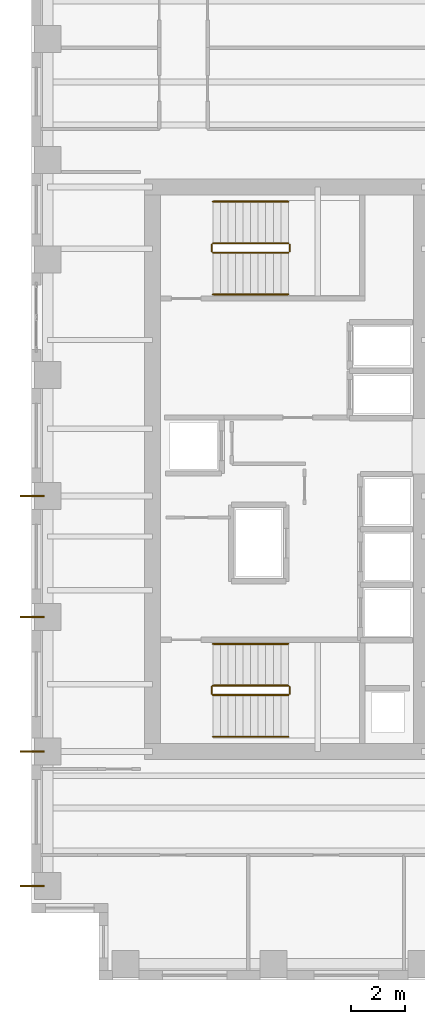
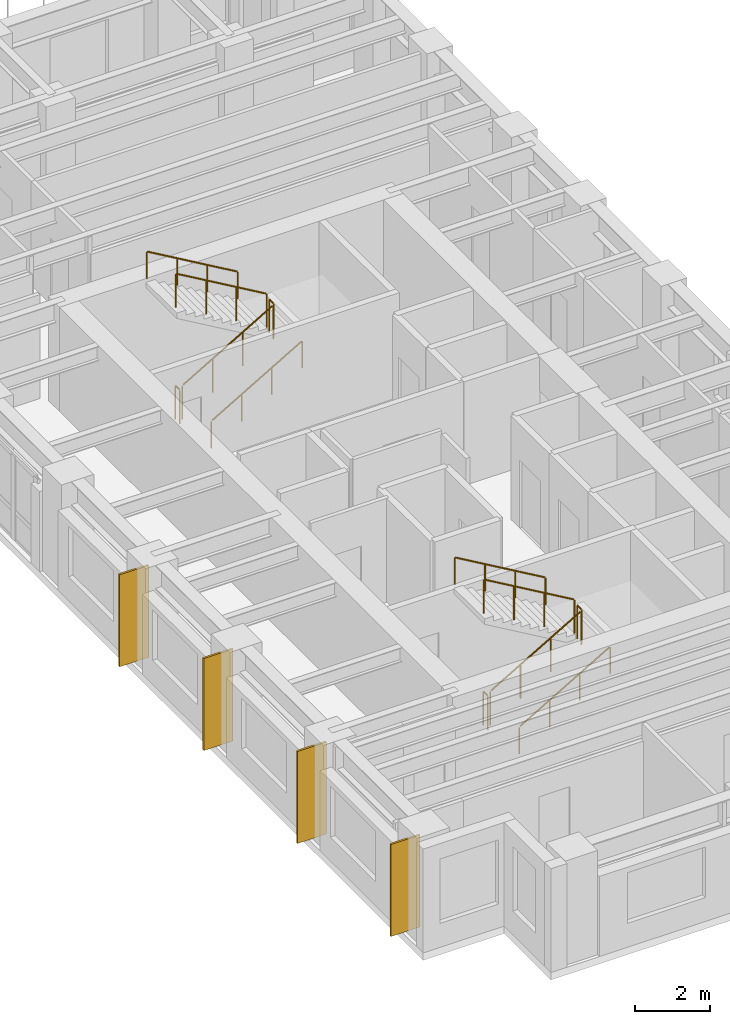
# One storey, part 11 of 13: 12 railings, 4 coverings.
"""IFC4 building model written with IfcOpenShell, lengths in metres."""

from ifc_helpers import new_model, si_unit, direction, frame, origin, origin_2d, place, context, subcontext, project, spatial, rectangle, circle, extrude, source, transform, mapped, material, layer, layer_set, type_object, element, save


model = new_model("IFC4")

# Units and contexts
model_context = context("Model", 3, precision=1e-05, world=origin(), true_north=direction((0.0, 1.0)))
body_context = subcontext(model_context, "Body", "Model", "MODEL_VIEW")
ifc_project = project(units=[si_unit("LENGTHUNIT", "METRE"), si_unit("AREAUNIT", "SQUARE_METRE"), si_unit("VOLUMEUNIT", "CUBIC_METRE"), si_unit("PLANEANGLEUNIT", "RADIAN"), si_unit("MASSUNIT", "GRAM", prefix="KILO")], contexts=[model_context])

# Site, building, storey
site_placement = place(None, origin())
site = spatial("IfcSite", under=ifc_project, at=site_placement, CompositionType="ELEMENT")
building_placement = place(site_placement, origin())
building = spatial("IfcBuilding", under=site, at=building_placement, Name="Kharzan Plaza Tower", CompositionType="ELEMENT")
storey_placement = place(building_placement, frame((0.0, 0.0, 143.10009765625)))
storey = spatial("IfcBuildingStorey", under=building, at=storey_placement, Name="L38", CompositionType="ELEMENT", Elevation=143.10009765625)

# Railings
ifc_material_1 = material(Name="Painted Galvanized Architectural Steel", Category="steel")
ifc_layer_1 = layer(ifc_material_1, 0.074951171875)
ifc_layer_set_1 = layer_set([ifc_layer_1], Name="Painted Galvanized Architectural Steel")
railing_type_1 = type_object("IfcRailingType", Name="RL-GUARD-1120", PredefinedType="BALUSTRADE", material=ifc_layer_set_1)
shared_shape_1 = source(origin(), body_context, "Body", "SweptSolid", [
    extrude(circle(Radius=0.02392578125, at=origin_2d()), frame((0.0, 0.0263671875, 1.09619140625), z_axis=(0.0, 1.0, 0.0), x_axis=(-1.0, 0.0, 0.0)), (0.0, 0.0, 1.0), 0.197021484375),
    extrude(circle(Radius=0.02099609375, at=origin_2d()), origin(), (0.0, 0.0, 1.0), 1.072021484375),
    extrude(circle(Radius=0.02099609375, at=origin_2d()), frame((0.0, 0.25, 0.0)), (0.0, 0.0, 1.0), 1.072021484375),
])
for number, where, name in (
    (1, (9.60009765625, 10.64990234375, 1.7998046875), "L38 ST-1 stair guard 2"),
    (2, (6.699951171875, 10.64990234375, 0.0), "L38 ST-1 stair guard 4"),
    (3, (9.60009765625, 27.10009765625, 1.7998046875), "L38 ST-2 stair guard 2"),
    (4, (6.699951171875, 27.10009765625, 0.0), "L38 ST-2 stair guard 4"),
):
    element("IfcRailing", number, at=place(storey_placement, frame(where)), inside=storey, type_object=railing_type_1, Name=name, PredefinedType="BALUSTRADE", context=body_context, shape_type="MappedRepresentation", body=[
        mapped(shared_shape_1, transform((0.0, 0.0, 0.0), x_axis=(1.0, 0.0, 0.0), y_axis=(0.0, 1.0, 0.0), z_axis=(0.0, 0.0, 1.0))),
    ])

# Coverings
ifc_material_2 = material(Name="Honed Riyadh Limestone", Category="masonry")
ifc_layer_2 = layer(ifc_material_2, 0.06005859375)
ifc_layer_set_2 = layer_set([ifc_layer_2], Name="Honed Riyadh Limestone")
covering_type = type_object("IfcCoveringType", Name="COV-CLAD-STONE", PredefinedType="CLADDING", material=ifc_layer_set_2)
shared_shape_2 = source(origin(), body_context, "Body", "SweptSolid", [
    extrude(rectangle(XDim=0.06005859375, YDim=0.89990234375, at=origin_2d()), origin(), (0.0, 0.0, 1.0), 3.0),
])
for number, where, z_axis, x_axis, name in (
    (5, (0.02001953125, 13.5, 0.099853515625), (0.0, 0.0, 1.0), (0.0, 1.0, 0.0), "L38 Limestone Pier Rainscreen Cladding TCW-135"),
    (6, (0.02001953125, 18.0, 0.099853515625), (0.0, 0.0, 1.0), (0.0, 1.0, 0.0), "L38 Limestone Pier Rainscreen Cladding TCW-180"),
    (7, (0.02001953125, 3.5, 0.099853515625), (0.0, 0.0, 1.0), (0.0, 1.0, 0.0), "L38 Limestone Pier Rainscreen Cladding TCW-35"),
    (8, (0.02001953125, 8.5, 0.099853515625), (0.0, 0.0, 1.0), (0.0, 1.0, 0.0), "L38 Limestone Pier Rainscreen Cladding TCW-85"),
):
    element("IfcCovering", number, at=place(storey_placement, frame(where, z_axis=z_axis, x_axis=x_axis)), inside=storey, type_object=covering_type, Name=name, PredefinedType="CLADDING", context=body_context, shape_type="MappedRepresentation", body=[
        mapped(shared_shape_2, transform((0.0, 0.0, 0.0), x_axis=(1.0, 0.0, 0.0), y_axis=(0.0, 1.0, 0.0), z_axis=(0.0, 0.0, 1.0))),
    ])

# Railings
shared_shape_3 = source(origin(), body_context, "Body", "SweptSolid", [
    extrude(circle(Radius=0.02392578125, at=origin_2d()), frame((0.02294921875, 0.0, 1.109375), z_axis=(0.863393664356, 0.0, 0.504530851732), x_axis=(0.0, 1.0, 0.0)), (0.0, 0.0, 1.0), 3.190185546875),
    extrude(circle(Radius=0.02099609375, at=origin_2d()), origin(), (0.0, 0.0, 1.0), 1.072021484375),
    extrude(circle(Radius=0.02099609375, at=origin_2d()), frame((0.933349609375, 0.0, 0.54541015625)), (0.0, 0.0, 1.0), 1.072021484375),
    extrude(circle(Radius=0.02099609375, at=origin_2d()), frame((1.86669921875, 0.0, 1.0908203125)), (0.0, 0.0, 1.0), 1.072021484375),
    extrude(circle(Radius=0.02099609375, at=origin_2d()), frame((2.800048828125, 0.0, 1.63623046875)), (0.0, 0.0, 1.0), 1.072021484375),
])
for number, where, name in (
    (9, (6.75, 10.60009765625, 0.16357421875), "L38 ST-1 stair guard 1"),
    (10, (6.75, 27.050048828125, 0.16357421875), "L38 ST-2 stair guard 1"),
):
    element("IfcRailing", number, at=place(storey_placement, frame(where)), inside=storey, type_object=railing_type_1, Name=name, PredefinedType="BALUSTRADE", context=body_context, shape_type="MappedRepresentation", body=[
        mapped(shared_shape_3, transform((0.0, 0.0, 0.0), x_axis=(1.0, 0.0, 0.0), y_axis=(0.0, 1.0, 0.0), z_axis=(0.0, 0.0, 1.0))),
    ])
shared_shape_4 = source(origin(), body_context, "Body", "SweptSolid", [
    extrude(circle(Radius=0.02392578125, at=origin_2d()), frame((-0.02294921875, 0.0, 1.109375), z_axis=(-0.863393664356, 0.0, 0.504530851732), x_axis=(0.0, -1.0, 0.0)), (0.0, 0.0, 1.0), 3.190185546875),
    extrude(circle(Radius=0.02099609375, at=origin_2d()), origin(), (0.0, 0.0, 1.0), 1.072021484375),
    extrude(circle(Radius=0.02099609375, at=origin_2d()), frame((-0.933349609375, 0.0, 0.54541015625)), (0.0, 0.0, 1.0), 1.072021484375),
    extrude(circle(Radius=0.02099609375, at=origin_2d()), frame((-1.86669921875, 0.0, 1.0908203125)), (0.0, 0.0, 1.0), 1.072021484375),
    extrude(circle(Radius=0.02099609375, at=origin_2d()), frame((-2.800048828125, 0.0, 1.63623046875)), (0.0, 0.0, 1.0), 1.072021484375),
])
for number, where, name in (
    (11, (9.550048828125, 10.949951171875, 1.963623046875), "L38 ST-1 stair guard 3"),
    (12, (9.550048828125, 27.39990234375, 1.963623046875), "L38 ST-2 stair guard 3"),
):
    element("IfcRailing", number, at=place(storey_placement, frame(where)), inside=storey, type_object=railing_type_1, Name=name, PredefinedType="BALUSTRADE", context=body_context, shape_type="MappedRepresentation", body=[
        mapped(shared_shape_4, transform((0.0, 0.0, 0.0), x_axis=(1.0, 0.0, 0.0), y_axis=(0.0, 1.0, 0.0), z_axis=(0.0, 0.0, 1.0))),
    ])
ifc_material_3 = material(Name="Brushed Stainless Steel", Category="steel")
ifc_layer_3 = layer(ifc_material_3, 0.050048828125)
ifc_layer_set_3 = layer_set([ifc_layer_3], Name="Brushed Stainless Steel")
railing_type_2 = type_object("IfcRailingType", Name="RL-STAIR-HR920", PredefinedType="HANDRAIL", material=ifc_layer_set_3)
shared_shape_5 = source(origin(), body_context, "Body", "SweptSolid", [
    extrude(circle(Radius=0.02392578125, at=origin_2d()), frame((0.02294921875, 0.0, 0.88916015625), z_axis=(0.863393664356, 0.0, 0.504530851732), x_axis=(0.0, 1.0, 0.0)), (0.0, 0.0, 1.0), 3.190185546875),
    extrude(circle(Radius=0.02099609375, at=origin_2d()), origin(), (0.0, 0.0, 1.0), 0.851806640625),
    extrude(circle(Radius=0.02099609375, at=origin_2d()), frame((0.933349609375, 0.0, 0.54541015625)), (0.0, 0.0, 1.0), 0.851806640625),
    extrude(circle(Radius=0.02099609375, at=origin_2d()), frame((1.86669921875, 0.0, 1.0908203125)), (0.0, 0.0, 1.0), 0.851806640625),
    extrude(circle(Radius=0.02099609375, at=origin_2d()), frame((2.800048828125, 0.0, 1.63623046875)), (0.0, 0.0, 1.0), 0.851806640625),
])
for number, where, name in (
    (13, (6.75, 9.050048828125, 0.16357421875), "L38 ST-1 stair handrail 1"),
    (14, (6.75, 25.5, 0.16357421875), "L38 ST-2 stair handrail 1"),
):
    element("IfcRailing", number, at=place(storey_placement, frame(where)), inside=storey, type_object=railing_type_2, Name=name, PredefinedType="HANDRAIL", context=body_context, shape_type="MappedRepresentation", body=[
        mapped(shared_shape_5, transform((0.0, 0.0, 0.0), x_axis=(1.0, 0.0, 0.0), y_axis=(0.0, 1.0, 0.0), z_axis=(0.0, 0.0, 1.0))),
    ])
shared_shape_6 = source(origin(), body_context, "Body", "SweptSolid", [
    extrude(circle(Radius=0.02392578125, at=origin_2d()), frame((-0.02294921875, 0.0, 0.88916015625), z_axis=(-0.863393664356, 0.0, 0.504530851732), x_axis=(0.0, -1.0, 0.0)), (0.0, 0.0, 1.0), 3.190185546875),
    extrude(circle(Radius=0.02099609375, at=origin_2d()), origin(), (0.0, 0.0, 1.0), 0.851806640625),
    extrude(circle(Radius=0.02099609375, at=origin_2d()), frame((-0.933349609375, 0.0, 0.54541015625)), (0.0, 0.0, 1.0), 0.851806640625),
    extrude(circle(Radius=0.02099609375, at=origin_2d()), frame((-1.86669921875, 0.0, 1.0908203125)), (0.0, 0.0, 1.0), 0.851806640625),
    extrude(circle(Radius=0.02099609375, at=origin_2d()), frame((-2.800048828125, 0.0, 1.63623046875)), (0.0, 0.0, 1.0), 0.851806640625),
])
for number, where, name in (
    (15, (9.550048828125, 12.5, 1.963623046875), "L38 ST-1 stair handrail 2"),
    (16, (9.550048828125, 28.949951171875, 1.963623046875), "L38 ST-2 stair handrail 2"),
):
    element("IfcRailing", number, at=place(storey_placement, frame(where)), inside=storey, type_object=railing_type_2, Name=name, PredefinedType="HANDRAIL", context=body_context, shape_type="MappedRepresentation", body=[
        mapped(shared_shape_6, transform((0.0, 0.0, 0.0), x_axis=(1.0, 0.0, 0.0), y_axis=(0.0, 1.0, 0.0), z_axis=(0.0, 0.0, 1.0))),
    ])

save(model, "model.ifc")
